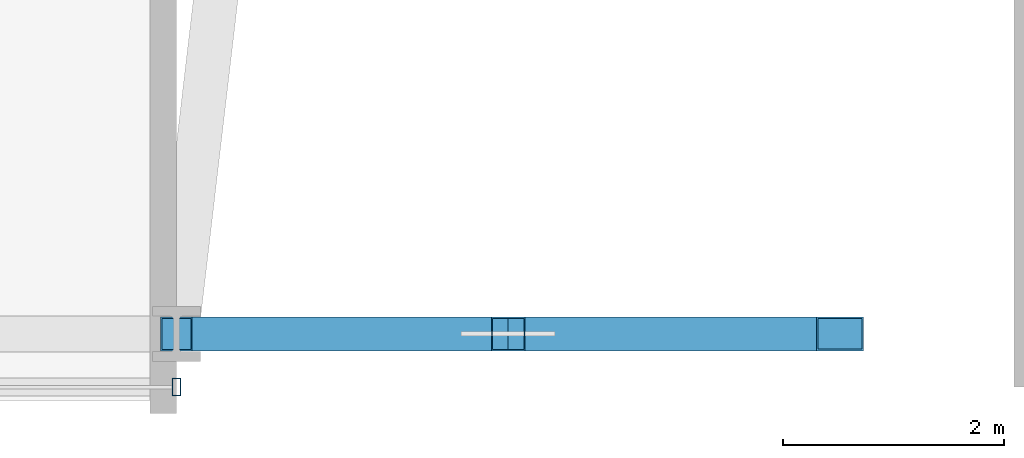
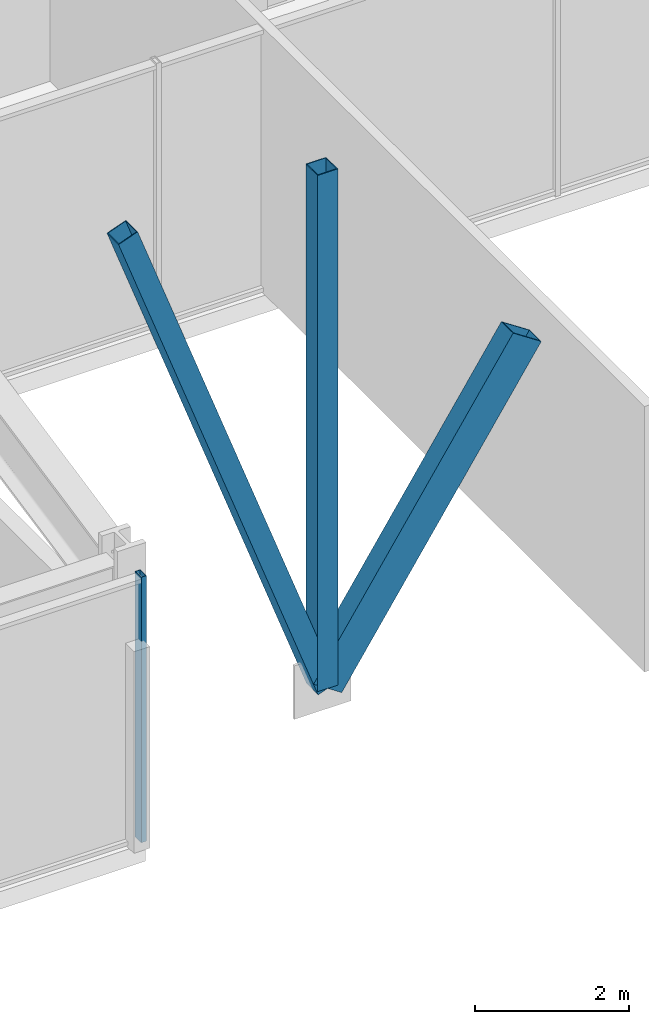
# One storey, part 8 of 47: 4 members, 1 element without a shape of its own.
"""IFC4 building model written with IfcOpenShell, lengths in metres."""

from ifc_helpers import new_model, si_unit, direction, frame, origin, origin_2d, place, context, subcontext, project, spatial, hollow_rectangle, extrude, material, material_profile, profile_set, type_object, element, aggregate, save


model = new_model("IFC4")

# Units and contexts
model_context = context("Model", 3, precision=1e-05, world=origin(), true_north=direction((0.0, 1.0)))
body_context = subcontext(model_context, "Body", "Model", "MODEL_VIEW")
ifc_project = project(units=[si_unit("LENGTHUNIT", "METRE"), si_unit("AREAUNIT", "SQUARE_METRE"), si_unit("VOLUMEUNIT", "CUBIC_METRE"), si_unit("PLANEANGLEUNIT", "RADIAN"), si_unit("MASSUNIT", "GRAM", prefix="KILO")], contexts=[model_context])

# Site, building, storey
site_placement = place(None, origin())
site = spatial("IfcSite", under=ifc_project, at=site_placement, CompositionType="ELEMENT")
building_placement = place(site_placement, origin())
building = spatial("IfcBuilding", under=site, at=building_placement, Name="Kolvaren Belvedere", CompositionType="ELEMENT")
storey_placement = place(building_placement, frame((0.0, 0.0, 5.5)))
storey = spatial("IfcBuildingStorey", under=building, at=storey_placement, Name="L02", CompositionType="ELEMENT", Elevation=5.5)

# Curtain wall, member
ifc_material_1 = material(Name="Anodised pale-metal aluminium AA 6063-T6", Category="aluminium")
curtain_wall_type = type_object("IfcCurtainWallType", Name="CW-POD-A", PredefinedType="NOTDEFINED", material=ifc_material_1)
curtain_wall_placement = place(storey_placement, origin())
curtain_wall = element("IfcCurtainWall", 1, at=curtain_wall_placement, inside=storey, type_object=curtain_wall_type, Name="L02 Unitised Curtain Wall FCW-L02-SEG1", PredefinedType="NOTDEFINED")
ifc_material_2 = material(Name="Anodised pale-metal aluminium AA 6063-T6", Category="aluminium")
ifc_material_profile_1 = material_profile(ifc_material_2, hollow_rectangle(XDim=0.074951171875, YDim=0.159912109375, WallThickness=0.00439453125, at=origin_2d()), Name="ALU-MUL-160X75")
ifc_profile_set_1 = profile_set([ifc_material_profile_1], Name="Anodised pale-metal aluminium AA 6063-T6")
member_type_1 = type_object("IfcMemberType", Name="CW-MUL-160", PredefinedType="MULLION", material=ifc_profile_set_1)
member_1_placement = place(storey_placement, frame((-12.0, -28.280029296875, 0.0), z_axis=(0.0, 0.0, 1.0), x_axis=(1.0, 0.0, 0.0)))
member_1 = element("IfcMember", 2, at=member_1_placement, type_object=member_type_1, Name="FCW-L02-SEG1 Unitised Mullion 1", PredefinedType="MULLION", context=body_context, shape_type="SweptSolid", body=[
    extrude(hollow_rectangle(XDim=0.074951171875, YDim=0.159912109375, WallThickness=0.00439453125, at=origin_2d()), origin(), (0.0, 0.0, 1.0), 4.219970703125),
])
aggregate(curtain_wall, [member_1])

# Members
ifc_material_3 = material(Name="Structural steel ASTM A500 Grade C", Category="steel")
ifc_material_profile_2 = material_profile(ifc_material_3, hollow_rectangle(XDim=0.304931640625, YDim=0.508056640625, WallThickness=0.014892578125, at=origin_2d()), Name="HSS20X12X5/8")
ifc_profile_set_2 = profile_set([ifc_material_profile_2], Name="Structural steel ASTM A500 Grade C")
member_type_2 = type_object("IfcMemberType", Name="MB-ARCH-CHORD", PredefinedType="CHORD", material=ifc_profile_set_2)
member_2_placement = place(storey_placement, frame((-9.0, -27.800048828125, 1.143798828125), z_axis=(0.552043319849, 0.0, 0.833815431022), x_axis=(0.0, 1.0, 0.0)))
element("IfcMember", 3, at=member_2_placement, inside=storey, type_object=member_type_2, Name="Giant Portal Arch Rib Chord AC-2", PredefinedType="CHORD", context=body_context, shape_type="SweptSolid", body=[
    extrude(hollow_rectangle(XDim=0.304931640625, YDim=0.508056640625, WallThickness=0.014892578125, at=origin_2d()), origin(), (0.0, 0.0, 1.0), 5.434326171875),
])
ifc_material_4 = material(Name="Structural steel ASTM A500 Grade C", Category="steel")
ifc_material_profile_3 = material_profile(ifc_material_4, hollow_rectangle(XDim=0.304931640625, YDim=0.304931640625, WallThickness=0.01171875, at=origin_2d()), Name="HSS12X12X1/2")
ifc_profile_set_3 = profile_set([ifc_material_profile_3], Name="Structural steel ASTM A500 Grade C")
member_type_3 = type_object("IfcMemberType", Name="MB-ARCH-WEB", PredefinedType="BRACE", material=ifc_profile_set_3)
member_3_placement = place(storey_placement, frame((-9.0, -27.800048828125, 1.143798828125), z_axis=(0.0, 0.0, 1.0), x_axis=(1.0, 0.0, 0.0)))
element("IfcMember", 4, at=member_3_placement, inside=storey, type_object=member_type_3, Name="Portal Arch Spandrel Web AW-1", PredefinedType="BRACE", context=body_context, shape_type="SweptSolid", body=[
    extrude(hollow_rectangle(XDim=0.304931640625, YDim=0.304931640625, WallThickness=0.01171875, at=origin_2d()), origin(), (0.0, 0.0, 1.0), 8.206298828125),
])
member_4_placement = place(storey_placement, frame((-9.0, -27.800048828125, 1.143798828125), z_axis=(-0.343348911787, 0.0, 0.939207924144), x_axis=(0.0, -1.0, 0.0)))
element("IfcMember", 5, at=member_4_placement, inside=storey, type_object=member_type_3, Name="Portal Arch Web Diagonal AD-1", PredefinedType="BRACE", context=body_context, shape_type="SweptSolid", body=[
    extrude(hollow_rectangle(XDim=0.304931640625, YDim=0.304931640625, WallThickness=0.01171875, at=origin_2d()), origin(), (0.0, 0.0, 1.0), 8.737548828125),
])

save(model, "model.ifc")
